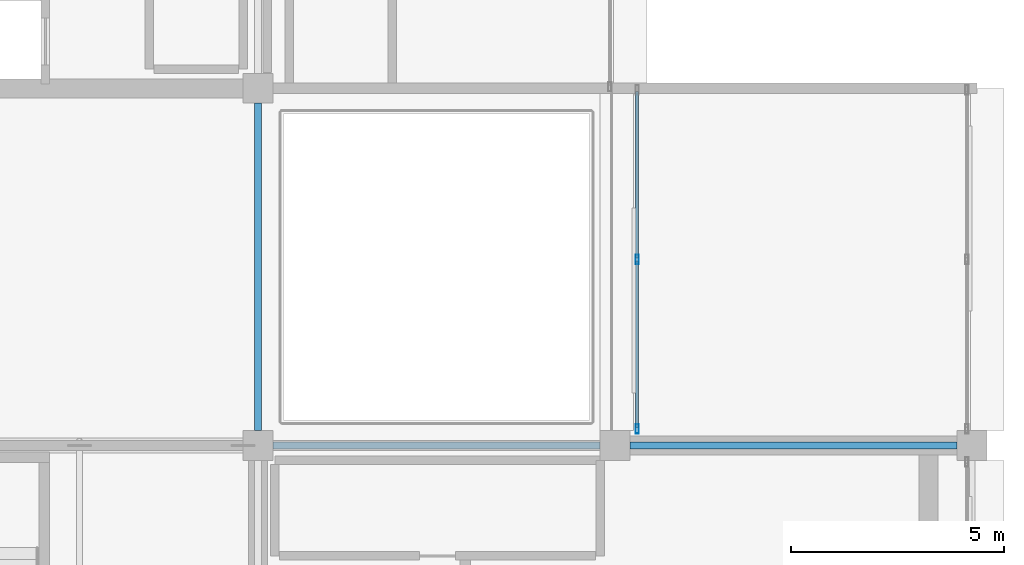
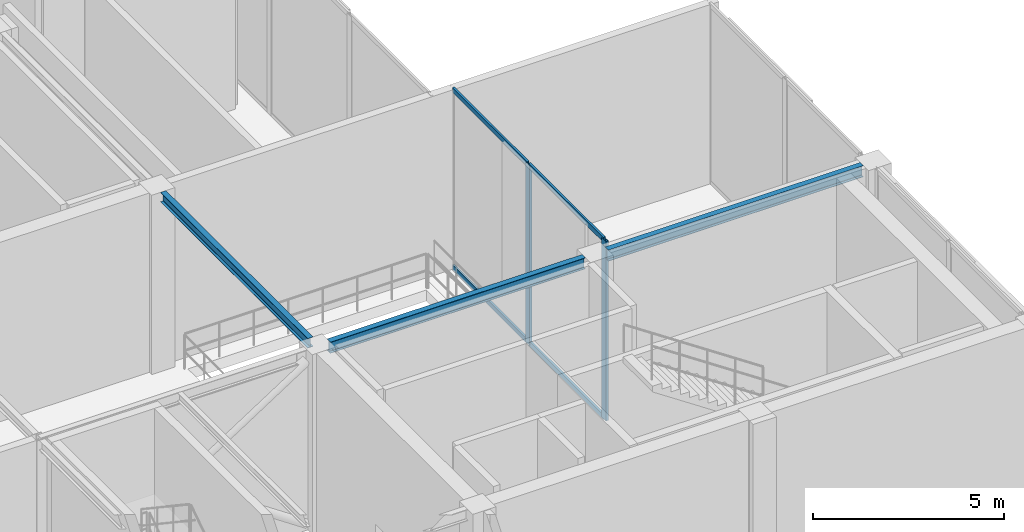
# One storey, part 8 of 19: 6 members, 3 beams, 1 element without a shape of its own.
"""IFC4 building model written with IfcOpenShell, lengths in metres."""

from ifc_helpers import new_model, si_unit, direction, frame, origin, origin_2d, place, context, subcontext, project, spatial, hollow_rectangle, i_section, extrude, material, layer, layer_set, material_profile, profile_set, type_object, element, aggregate, save


model = new_model("IFC4")

# Units and contexts
model_context = context("Model", 3, precision=1e-05, world=origin(), true_north=direction((0.0, 1.0)))
body_context = subcontext(model_context, "Body", "Model", "MODEL_VIEW")
ifc_project = project(units=[si_unit("LENGTHUNIT", "METRE"), si_unit("AREAUNIT", "SQUARE_METRE"), si_unit("VOLUMEUNIT", "CUBIC_METRE"), si_unit("PLANEANGLEUNIT", "RADIAN"), si_unit("MASSUNIT", "GRAM", prefix="KILO")], contexts=[model_context])

# Site, building, storey
site_placement = place(None, origin())
site = spatial("IfcSite", under=ifc_project, at=site_placement, CompositionType="ELEMENT")
building_placement = place(site_placement, origin())
building = spatial("IfcBuilding", under=site, at=building_placement, Name="Nerrivon Quay Data Exchange", CompositionType="ELEMENT")
storey_placement = place(building_placement, frame((0.0, 0.0, 327.0)))
storey = spatial("IfcBuildingStorey", under=building, at=storey_placement, Name="L78", CompositionType="ELEMENT", Elevation=327.0)

# Beams
ifc_material_1 = material(Name="Steel Grade 350", Category="steel")
ifc_material_profile_1 = material_profile(ifc_material_1, i_section(OverallWidth=0.172119140625, OverallDepth=0.35888671875, WebThickness=0.008056640625, FlangeThickness=0.012939453125, FilletRadius=0.011474609375, at=origin_2d()), Name="360UB56.7")
ifc_profile_set_1 = profile_set([ifc_material_profile_1], Name="Steel Grade 350")
beam_type_1 = type_object("IfcBeamType", Name="BM-J3-360UB57", PredefinedType="JOIST", material=ifc_profile_set_1)
beam_1_placement = place(storey_placement, frame((17.14990234375, 16.800048828125, 5.54541015625), z_axis=(1.0, 0.0, 0.0), x_axis=(0.0, 1.0, 0.0)))
element("IfcBeam", 1, at=beam_1_placement, inside=storey, type_object=beam_type_1, Name="L78 EW Girder Y=16.8 (16.8..25.2)", PredefinedType="JOIST", context=body_context, shape_type="SweptSolid", body=[
    extrude(i_section(OverallWidth=0.172119140625, OverallDepth=0.35888671875, WebThickness=0.008056640625, FlangeThickness=0.012939453125, FilletRadius=0.011474609375, at=origin_2d()), origin(), (0.0, 0.0, 1.0), 7.7001953125),
])
beam_2_placement = place(storey_placement, frame((25.550048828125, 16.800048828125, 5.54541015625), z_axis=(1.0, 0.0, 0.0), x_axis=(0.0, 1.0, 0.0)))
element("IfcBeam", 2, at=beam_2_placement, inside=storey, type_object=beam_type_1, Name="L78 EW Girder Y=16.8 (25.2..33.6)", PredefinedType="JOIST", context=body_context, shape_type="SweptSolid", body=[
    extrude(i_section(OverallWidth=0.172119140625, OverallDepth=0.35888671875, WebThickness=0.008056640625, FlangeThickness=0.012939453125, FilletRadius=0.011474609375, at=origin_2d()), origin(), (0.0, 0.0, 1.0), 7.699951171875),
])
ifc_material_profile_2 = material_profile(ifc_material_1, i_section(OverallWidth=0.166015625, OverallDepth=0.306884765625, WebThickness=0.006591796875, FlangeThickness=0.01171875, FilletRadius=0.011474609375, at=origin_2d()), Name="310UB46.2")
ifc_profile_set_2 = profile_set([ifc_material_profile_2], Name="Steel Grade 350")
beam_type_2 = type_object("IfcBeamType", Name="BM-J5-310UB46", PredefinedType="JOIST", material=ifc_profile_set_2)
beam_3_placement = place(storey_placement, frame((16.800048828125, 17.14990234375, 5.571533203125), z_axis=(0.0, 1.0, 0.0), x_axis=(-1.0, 0.0, 0.0)))
element("IfcBeam", 3, at=beam_3_placement, inside=storey, type_object=beam_type_2, Name="L78 NS Girder X=16.8 (16.8..25.2)", PredefinedType="JOIST", context=body_context, shape_type="SweptSolid", body=[
    extrude(i_section(OverallWidth=0.166015625, OverallDepth=0.306884765625, WebThickness=0.006591796875, FlangeThickness=0.01171875, FilletRadius=0.011474609375, at=origin_2d()), origin(), (0.0, 0.0, 1.0), 7.7001953125),
])

# Curtain wall, members
ifc_material_2 = material(Name="Anodised aluminium 6063-T6", Category="aluminium")
ifc_layer = layer(ifc_material_2, 0.22998046875)
ifc_layer_set = layer_set([ifc_layer], Name="Anodised aluminium 6063-T6")
curtain_wall_type = type_object("IfcCurtainWallType", Name="CW-SYS-05", PredefinedType="NOTDEFINED", material=ifc_layer_set)
curtain_wall_placement = place(storey_placement, origin())
curtain_wall = element("IfcCurtainWall", 4, at=curtain_wall_placement, inside=storey, type_object=curtain_wall_type, Name="L78 Crown Curtain Wall 12", PredefinedType="NOTDEFINED")
ifc_material_profile_3 = material_profile(ifc_material_2, hollow_rectangle(XDim=0.074951171875, YDim=0.219970703125, WallThickness=0.00390625, at=origin_2d()), Name="ALU-MULL-220x75")
ifc_profile_set_3 = profile_set([ifc_material_profile_3], Name="Anodised aluminium 6063-T6")
member_type_1 = type_object("IfcMemberType", Name="CWM-220x75", PredefinedType="MULLION", material=ifc_profile_set_3)
member_1_placement = place(storey_placement, frame((25.719970703125, 17.1875, 0.0), z_axis=(0.0, 0.0, 1.0), x_axis=(-1.0, 0.0, 0.0)))
member_1 = element("IfcMember", 5, at=member_1_placement, type_object=member_type_1, Name="CW05 mullion 1", PredefinedType="MULLION", context=body_context, shape_type="SweptSolid", body=[
    extrude(hollow_rectangle(XDim=0.074951171875, YDim=0.219970703125, WallThickness=0.00390625, at=origin_2d()), origin(), (0.0, 0.0, 1.0), 5.72509765625),
])
member_2_placement = place(storey_placement, frame((25.719970703125, 21.175048828125, 0.0), z_axis=(0.0, 0.0, 1.0), x_axis=(-1.0, 0.0, 0.0)))
member_2 = element("IfcMember", 6, at=member_2_placement, type_object=member_type_1, Name="CW05 mullion 2", PredefinedType="MULLION", context=body_context, shape_type="SweptSolid", body=[
    extrude(hollow_rectangle(XDim=0.074951171875, YDim=0.219970703125, WallThickness=0.00390625, at=origin_2d()), origin(), (0.0, 0.0, 1.0), 5.72509765625),
])
ifc_material_profile_4 = material_profile(ifc_material_2, hollow_rectangle(XDim=0.06494140625, YDim=0.14990234375, WallThickness=0.00341796875, at=origin_2d()), Name="ALU-TRAN-150x65")
ifc_profile_set_4 = profile_set([ifc_material_profile_4], Name="Anodised aluminium 6063-T6")
member_type_2 = type_object("IfcMemberType", Name="CWT-150x65", PredefinedType="USERDEFINED", material=ifc_profile_set_4)
member_3_placement = place(storey_placement, frame((25.719970703125, 17.22509765625, 0.032470703125), z_axis=(0.0, 1.0, 0.0), x_axis=(-1.0, 0.0, 0.0)))
member_3 = element("IfcMember", 7, at=member_3_placement, type_object=member_type_2, Name="CW05 transom 1.1", ObjectType="TRANSOM", PredefinedType="USERDEFINED", context=body_context, shape_type="SweptSolid", body=[
    extrude(hollow_rectangle(XDim=0.06494140625, YDim=0.14990234375, WallThickness=0.00341796875, at=origin_2d()), origin(), (0.0, 0.0, 1.0), 3.912353515625),
])
member_4_placement = place(storey_placement, frame((25.719970703125, 17.22509765625, 5.6923828125), z_axis=(0.0, 1.0, 0.0), x_axis=(-1.0, 0.0, 0.0)))
member_4 = element("IfcMember", 8, at=member_4_placement, type_object=member_type_2, Name="CW05 transom 1.2", ObjectType="TRANSOM", PredefinedType="USERDEFINED", context=body_context, shape_type="SweptSolid", body=[
    extrude(hollow_rectangle(XDim=0.06494140625, YDim=0.14990234375, WallThickness=0.00341796875, at=origin_2d()), origin(), (0.0, 0.0, 1.0), 3.912353515625),
])
member_5_placement = place(storey_placement, frame((25.719970703125, 21.21240234375, 0.032470703125), z_axis=(0.0, 1.0, 0.0), x_axis=(-1.0, 0.0, 0.0)))
member_5 = element("IfcMember", 9, at=member_5_placement, type_object=member_type_2, Name="CW05 transom 2.1", ObjectType="TRANSOM", PredefinedType="USERDEFINED", context=body_context, shape_type="SweptSolid", body=[
    extrude(hollow_rectangle(XDim=0.06494140625, YDim=0.14990234375, WallThickness=0.00341796875, at=origin_2d()), origin(), (0.0, 0.0, 1.0), 3.91259765625),
])
member_6_placement = place(storey_placement, frame((25.719970703125, 21.21240234375, 5.6923828125), z_axis=(0.0, 1.0, 0.0), x_axis=(-1.0, 0.0, 0.0)))
member_6 = element("IfcMember", 10, at=member_6_placement, type_object=member_type_2, Name="CW05 transom 2.2", ObjectType="TRANSOM", PredefinedType="USERDEFINED", context=body_context, shape_type="SweptSolid", body=[
    extrude(hollow_rectangle(XDim=0.06494140625, YDim=0.14990234375, WallThickness=0.00341796875, at=origin_2d()), origin(), (0.0, 0.0, 1.0), 3.91259765625),
])
aggregate(curtain_wall, [member_1, member_2, member_3, member_4, member_5, member_6])

save(model, "model.ifc")
